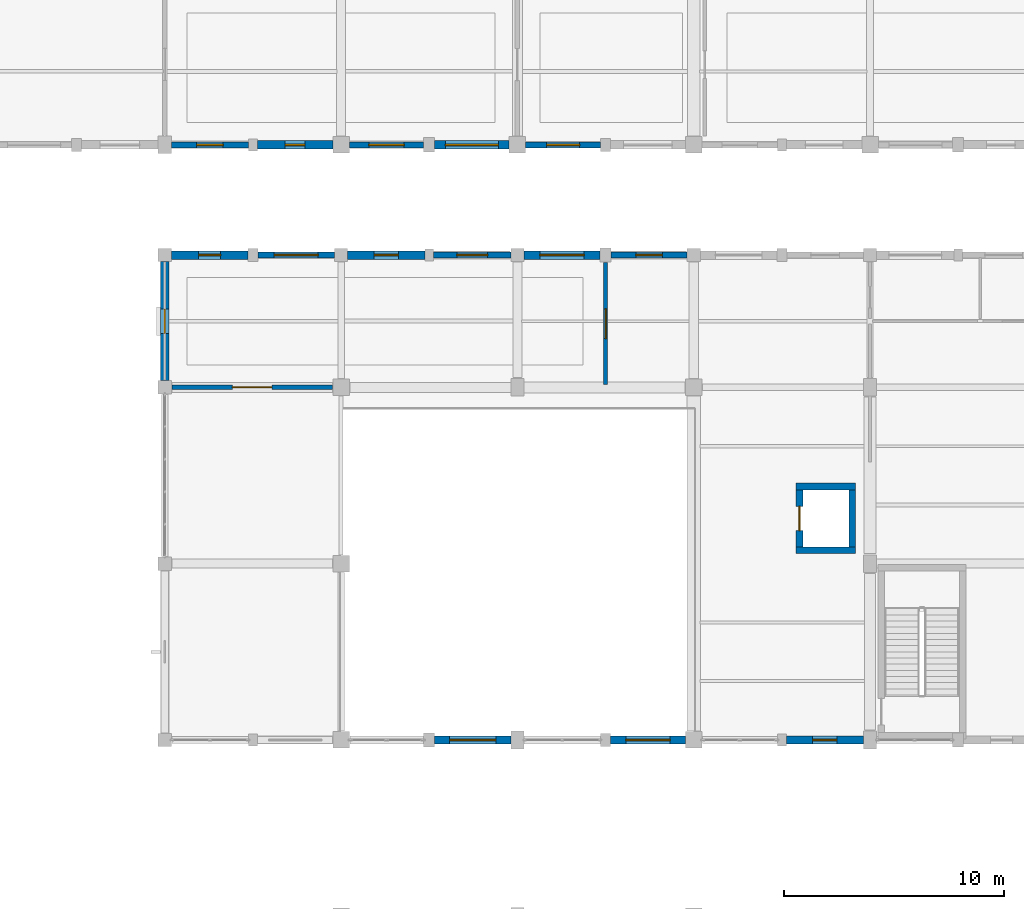
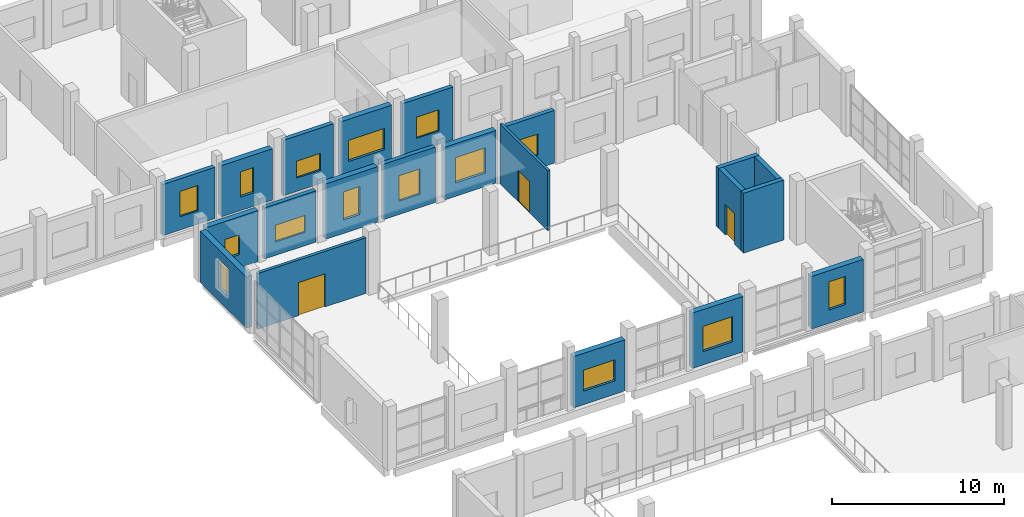
# One storey, part 150 of 183: 21 walls, 15 windows, 3 doors, 18 openings.
"""IFC4 building model written with IfcOpenShell, lengths in metres."""

from ifc_helpers import new_model, si_unit, direction, frame, frame_2d, origin, place, context, subcontext, project, spatial, rectangle, extrude, material, layer, layer_set, type_object, element, fill, save


model = new_model("IFC4")

# Units and contexts
model_context = context("Model", 3, precision=1e-05, world=origin(), true_north=direction((0.0, 1.0)))
body_context = subcontext(model_context, "Body", "Model", "MODEL_VIEW")
ifc_project = project(units=[si_unit("LENGTHUNIT", "METRE"), si_unit("AREAUNIT", "SQUARE_METRE"), si_unit("VOLUMEUNIT", "CUBIC_METRE"), si_unit("PLANEANGLEUNIT", "RADIAN"), si_unit("MASSUNIT", "GRAM", prefix="KILO")], contexts=[model_context])

# Site, building, storey
site_placement = place(None, origin())
site = spatial("IfcSite", under=ifc_project, at=site_placement, CompositionType="ELEMENT")
building_placement = place(site_placement, origin())
building = spatial("IfcBuilding", under=site, at=building_placement, Name="Luwemba Playhouse", CompositionType="ELEMENT")
storey_placement = place(building_placement, frame((0.0, 0.0, 4.800048828125)))
storey = spatial("IfcBuildingStorey", under=building, at=storey_placement, Name="L01", CompositionType="ELEMENT", Elevation=4.800048828125)

# Wall, opening, window
ifc_material_1 = material(Name="Clay facing brick obra vista masonry", Category="masonry")
ifc_layer_1 = layer(ifc_material_1, 0.3798828125)
ifc_layer_set_1 = layer_set([ifc_layer_1], Name="Clay facing brick obra vista masonry")
wall_type_1 = type_object("IfcWallType", Name="WAL-BRK-380", PredefinedType="SOLIDWALL", material=ifc_layer_set_1)
wall_1_placement = place(storey_placement, frame((132.0, 84.300048828125, 0.0), z_axis=(0.0, 0.0, 1.0), x_axis=(0.0, 1.0, 0.0)))
wall_1 = element("IfcWall", 1, at=wall_1_placement, inside=storey, type_object=wall_type_1, Name="L01 V4 exterior facade wall 0182", PredefinedType="SOLIDWALL", context=body_context, shape_type="SweptSolid", body=[
    extrude(rectangle(XDim=5.39990234375, YDim=0.3798828125, at=frame_2d((2.699951171875, 0.0))), origin(), (0.0, 0.0, 1.0), 3.635009765625),
])
opening_1_placement = place(wall_1_placement, frame((2.14990234375, 0.0, 0.949951171875)))
opening_1 = element("IfcOpeningElement", 2, at=opening_1_placement, cuts=wall_1, Name="Opening WN-19", PredefinedType="OPENING", context=body_context, shape_type="SweptSolid", body=[
    extrude(rectangle(XDim=1.10009765625, YDim=2.0, at=frame_2d((0.550048828125, 1.0))), frame((0.0, 0.199951171875, 0.0), z_axis=(0.0, -1.0, 0.0), x_axis=(1.0, 0.0, 0.0)), (0.0, 0.0, 1.0), 0.39990234375),
])
ifc_material_2 = material(Name="Solar-control double glazing in aluminium frame", Category="aluminium")
window_type_1 = type_object("IfcWindowType", Name="WIN-WN-19", PartitioningType="SINGLE_PANEL", PredefinedType="WINDOW", material=ifc_material_2)
window_1_placement = place(opening_1_placement, origin())
window_1 = element("IfcWindow", 3, at=window_1_placement, inside=storey, type_object=window_type_1, Name="L01 V4 scheduled window 0131", OverallHeight=2.0, OverallWidth=1.10009765625, PartitioningType="SINGLE_PANEL", PredefinedType="WINDOW", context=body_context, shape_type="SweptSolid", body=[
    extrude(rectangle(XDim=1.10009765625, YDim=2.0, at=frame_2d((0.550048828125, 1.0))), frame((0.0, 0.030029296875, 0.0), z_axis=(0.0, -1.0, 0.0), x_axis=(1.0, 0.0, 0.0)), (0.0, 0.0, 1.0), 0.06005859375),
])
fill(opening_1, window_1)

wall_2_placement = place(storey_placement, frame((132.300048828125, 90.0, 0.0), z_axis=(0.0, 0.0, 1.0), x_axis=(1.0, 0.0, 0.0)))
wall_2 = element("IfcWall", 4, at=wall_2_placement, inside=storey, type_object=wall_type_1, Name="L01 V4 exterior facade wall 0183", PredefinedType="SOLIDWALL", context=body_context, shape_type="SweptSolid", body=[
    extrude(rectangle(XDim=3.474853515625, YDim=0.3798828125, at=frame_2d((1.7373046875, 0.0))), origin(), (0.0, 0.0, 1.0), 3.635009765625),
])
opening_2_placement = place(wall_2_placement, frame((1.237548828125, 0.0, 0.949951171875)))
opening_2 = element("IfcOpeningElement", 5, at=opening_2_placement, cuts=wall_2, Name="Opening WN-13", PredefinedType="OPENING", context=body_context, shape_type="SweptSolid", body=[
    extrude(rectangle(XDim=1.0, YDim=1.39990234375, at=frame_2d((0.5, 0.699951171875))), frame((0.0, 0.199951171875, 0.0), z_axis=(0.0, -1.0, 0.0), x_axis=(1.0, 0.0, 0.0)), (0.0, 0.0, 1.0), 0.39990234375),
])
window_type_2 = type_object("IfcWindowType", Name="WIN-WN-13", PartitioningType="SINGLE_PANEL", PredefinedType="WINDOW", material=ifc_material_2)
window_2_placement = place(opening_2_placement, origin())
window_2 = element("IfcWindow", 6, at=window_2_placement, inside=storey, type_object=window_type_2, Name="L01 V4 scheduled window 0132", OverallHeight=1.39990234375, OverallWidth=1.0, PartitioningType="SINGLE_PANEL", PredefinedType="WINDOW", context=body_context, shape_type="SweptSolid", body=[
    extrude(rectangle(XDim=1.0, YDim=1.39990234375, at=frame_2d((0.5, 0.699951171875))), frame((0.0, 0.030029296875, 0.0), z_axis=(0.0, -1.0, 0.0), x_axis=(1.0, 0.0, 0.0)), (0.0, 0.0, 1.0), 0.06005859375),
])
fill(opening_2, window_2)

wall_3_placement = place(storey_placement, frame((140.300048828125, 90.0, 0.0), z_axis=(0.0, 0.0, 1.0), x_axis=(1.0, 0.0, 0.0)))
wall_3 = element("IfcWall", 7, at=wall_3_placement, inside=storey, type_object=wall_type_1, Name="L01 V4 exterior facade wall 0185", PredefinedType="SOLIDWALL", context=body_context, shape_type="SweptSolid", body=[
    extrude(rectangle(XDim=3.5, YDim=0.3798828125, at=frame_2d((1.75, 0.0))), origin(), (0.0, 0.0, 1.0), 3.93505859375),
])
opening_3_placement = place(wall_3_placement, frame((1.199951171875, 0.0, 0.949951171875)))
opening_3 = element("IfcOpeningElement", 8, at=opening_3_placement, cuts=wall_3, Name="Opening WN-19", PredefinedType="OPENING", context=body_context, shape_type="SweptSolid", body=[
    extrude(rectangle(XDim=1.10009765625, YDim=2.0, at=frame_2d((0.550048828125, 1.0))), frame((0.0, 0.199951171875, 0.0), z_axis=(0.0, -1.0, 0.0), x_axis=(1.0, 0.0, 0.0)), (0.0, 0.0, 1.0), 0.39990234375),
])
window_3_placement = place(opening_3_placement, origin())
window_3 = element("IfcWindow", 9, at=window_3_placement, inside=storey, type_object=window_type_1, Name="L01 V4 scheduled window 0134", OverallHeight=2.0, OverallWidth=1.10009765625, PartitioningType="SINGLE_PANEL", PredefinedType="WINDOW", context=body_context, shape_type="SweptSolid", body=[
    extrude(rectangle(XDim=1.10009765625, YDim=2.0, at=frame_2d((0.550048828125, 1.0))), frame((0.0, 0.030029296875, 0.0), z_axis=(0.0, -1.0, 0.0), x_axis=(1.0, 0.0, 0.0)), (0.0, 0.0, 1.0), 0.06005859375),
])
fill(opening_3, window_3)

wall_4_placement = place(storey_placement, frame((148.300048828125, 90.0, 0.0), z_axis=(0.0, 0.0, 1.0), x_axis=(1.0, 0.0, 0.0)))
wall_4 = element("IfcWall", 10, at=wall_4_placement, inside=storey, type_object=wall_type_1, Name="L01 V4 exterior facade wall 0187", PredefinedType="SOLIDWALL", context=body_context, shape_type="SweptSolid", body=[
    extrude(rectangle(XDim=3.449951171875, YDim=0.3798828125, at=frame_2d((1.72509765625, 0.0))), origin(), (0.0, 0.0, 1.0), 3.73486328125),
])
opening_4_placement = place(wall_4_placement, frame((0.72509765625, 0.0, 0.949951171875)))
opening_4 = element("IfcOpeningElement", 11, at=opening_4_placement, cuts=wall_4, Name="Opening WN-05", PredefinedType="OPENING", context=body_context, shape_type="SweptSolid", body=[
    extrude(rectangle(XDim=2.0, YDim=1.800048828125, at=frame_2d((1.0, 0.89990234375))), frame((0.0, 0.199951171875, 0.0), z_axis=(0.0, -1.0, 0.0), x_axis=(1.0, 0.0, 0.0)), (0.0, 0.0, 1.0), 0.39990234375),
])
window_type_3 = type_object("IfcWindowType", Name="WIN-WN-05", PartitioningType="TRIPLE_PANEL_VERTICAL", PredefinedType="WINDOW", material=ifc_material_2)
window_4_placement = place(opening_4_placement, origin())
window_4 = element("IfcWindow", 12, at=window_4_placement, inside=storey, type_object=window_type_3, Name="L01 V4 scheduled window 0136", OverallHeight=1.800048828125, OverallWidth=2.0, PartitioningType="TRIPLE_PANEL_VERTICAL", PredefinedType="WINDOW", context=body_context, shape_type="SweptSolid", body=[
    extrude(rectangle(XDim=2.0, YDim=1.800048828125, at=frame_2d((1.0, 0.89990234375))), frame((0.0, 0.030029296875, 0.0), z_axis=(0.0, -1.0, 0.0), x_axis=(1.0, 0.0, 0.0)), (0.0, 0.0, 1.0), 0.06005859375),
])
fill(opening_4, window_4)

wall_5_placement = place(storey_placement, frame((163.699951171875, 68.0, 0.0), z_axis=(0.0, 0.0, 1.0), x_axis=(-1.0, 0.0, 0.0)))
wall_5 = element("IfcWall", 13, at=wall_5_placement, inside=storey, type_object=wall_type_1, Name="L01 V4 exterior facade wall 0196", PredefinedType="SOLIDWALL", context=body_context, shape_type="SweptSolid", body=[
    extrude(rectangle(XDim=3.5, YDim=0.3798828125, at=frame_2d((1.75, 0.0))), origin(), (0.0, 0.0, 1.0), 3.73486328125),
])
opening_5_placement = place(wall_5_placement, frame((1.199951171875, 0.0, 0.949951171875)))
opening_5 = element("IfcOpeningElement", 14, at=opening_5_placement, cuts=wall_5, Name="Opening WN-19", PredefinedType="OPENING", context=body_context, shape_type="SweptSolid", body=[
    extrude(rectangle(XDim=1.10009765625, YDim=2.0, at=frame_2d((0.550048828125, 1.0))), frame((0.0, 0.199951171875, 0.0), z_axis=(0.0, -1.0, 0.0), x_axis=(1.0, 0.0, 0.0)), (0.0, 0.0, 1.0), 0.39990234375),
])
window_5_placement = place(opening_5_placement, origin())
window_5 = element("IfcWindow", 15, at=window_5_placement, inside=storey, type_object=window_type_1, Name="L01 V4 scheduled window 0145", OverallHeight=2.0, OverallWidth=1.10009765625, PartitioningType="SINGLE_PANEL", PredefinedType="WINDOW", context=body_context, shape_type="SweptSolid", body=[
    extrude(rectangle(XDim=1.10009765625, YDim=2.0, at=frame_2d((0.550048828125, 1.0))), frame((0.0, 0.030029296875, 0.0), z_axis=(0.0, -1.0, 0.0), x_axis=(1.0, 0.0, 0.0)), (0.0, 0.0, 1.0), 0.06005859375),
])
fill(opening_5, window_5)

wall_6_placement = place(storey_placement, frame((155.625, 68.0, 0.0), z_axis=(0.0, 0.0, 1.0), x_axis=(-1.0, 0.0, 0.0)))
wall_6 = element("IfcWall", 16, at=wall_6_placement, inside=storey, type_object=wall_type_1, Name="L01 V4 exterior facade wall 0197", PredefinedType="SOLIDWALL", context=body_context, shape_type="SweptSolid", body=[
    extrude(rectangle(XDim=3.39990234375, YDim=0.3798828125, at=frame_2d((1.699951171875, 0.0))), origin(), (0.0, 0.0, 1.0), 3.93505859375),
])
opening_6_placement = place(wall_6_placement, frame((0.699951171875, 0.0, 0.949951171875)))
opening_6 = element("IfcOpeningElement", 17, at=opening_6_placement, cuts=wall_6, Name="Opening WN-05", PredefinedType="OPENING", context=body_context, shape_type="SweptSolid", body=[
    extrude(rectangle(XDim=2.0, YDim=1.800048828125, at=frame_2d((1.0, 0.89990234375))), frame((0.0, 0.199951171875, 0.0), z_axis=(0.0, -1.0, 0.0), x_axis=(1.0, 0.0, 0.0)), (0.0, 0.0, 1.0), 0.39990234375),
])
window_6_placement = place(opening_6_placement, origin())
window_6 = element("IfcWindow", 18, at=window_6_placement, inside=storey, type_object=window_type_3, Name="L01 V4 scheduled window 0146", OverallHeight=1.800048828125, OverallWidth=2.0, PartitioningType="TRIPLE_PANEL_VERTICAL", PredefinedType="WINDOW", context=body_context, shape_type="SweptSolid", body=[
    extrude(rectangle(XDim=2.0, YDim=1.800048828125, at=frame_2d((1.0, 0.89990234375))), frame((0.0, 0.030029296875, 0.0), z_axis=(0.0, -1.0, 0.0), x_axis=(1.0, 0.0, 0.0)), (0.0, 0.0, 1.0), 0.06005859375),
])
fill(opening_6, window_6)

wall_7_placement = place(storey_placement, frame((147.699951171875, 68.0, 0.0), z_axis=(0.0, 0.0, 1.0), x_axis=(-1.0, 0.0, 0.0)))
wall_7 = element("IfcWall", 19, at=wall_7_placement, inside=storey, type_object=wall_type_1, Name="L01 V4 exterior facade wall 0198", PredefinedType="SOLIDWALL", context=body_context, shape_type="SweptSolid", body=[
    extrude(rectangle(XDim=3.449951171875, YDim=0.3798828125, at=frame_2d((1.72509765625, 0.0))), origin(), (0.0, 0.0, 1.0), 3.635009765625),
])
opening_7_placement = place(wall_7_placement, frame((0.675048828125, 0.0, 0.949951171875)))
opening_7 = element("IfcOpeningElement", 20, at=opening_7_placement, cuts=wall_7, Name="Opening WN-11", PredefinedType="OPENING", context=body_context, shape_type="SweptSolid", body=[
    extrude(rectangle(XDim=2.10009765625, YDim=1.5, at=frame_2d((1.050048828125, 0.75))), frame((0.0, 0.199951171875, 0.0), z_axis=(0.0, -1.0, 0.0), x_axis=(1.0, 0.0, 0.0)), (0.0, 0.0, 1.0), 0.39990234375),
])
window_type_4 = type_object("IfcWindowType", Name="WIN-WN-11", PartitioningType="TRIPLE_PANEL_VERTICAL", PredefinedType="WINDOW", material=ifc_material_2)
window_7_placement = place(opening_7_placement, origin())
window_7 = element("IfcWindow", 21, at=window_7_placement, inside=storey, type_object=window_type_4, Name="L01 V4 scheduled window 0147", OverallHeight=1.5, OverallWidth=2.10009765625, PartitioningType="TRIPLE_PANEL_VERTICAL", PredefinedType="WINDOW", context=body_context, shape_type="SweptSolid", body=[
    extrude(rectangle(XDim=2.10009765625, YDim=1.5, at=frame_2d((1.050048828125, 0.75))), frame((0.0, 0.030029296875, 0.0), z_axis=(0.0, -1.0, 0.0), x_axis=(1.0, 0.0, 0.0)), (0.0, 0.0, 1.0), 0.06005859375),
])
fill(opening_7, window_7)

wall_8_placement = place(storey_placement, frame((147.625, 95.0, 0.0), z_axis=(0.0, 0.0, 1.0), x_axis=(-1.0, 0.0, 0.0)))
wall_8 = element("IfcWall", 22, at=wall_8_placement, inside=storey, type_object=wall_type_1, Name="L01 V6E exterior facade wall 0260", PredefinedType="SOLIDWALL", context=body_context, shape_type="SweptSolid", body=[
    extrude(rectangle(XDim=3.375, YDim=0.3798828125, at=frame_2d((1.6875, 0.0))), origin(), (0.0, 0.0, 1.0), 3.93505859375),
])
opening_8_placement = place(wall_8_placement, frame((0.487548828125, 0.0, 0.949951171875)))
opening_8 = element("IfcOpeningElement", 23, at=opening_8_placement, cuts=wall_8, Name="Opening WN-12", PredefinedType="OPENING", context=body_context, shape_type="SweptSolid", body=[
    extrude(rectangle(XDim=2.39990234375, YDim=1.5, at=frame_2d((1.199951171875, 0.75))), frame((0.0, 0.199951171875, 0.0), z_axis=(0.0, -1.0, 0.0), x_axis=(1.0, 0.0, 0.0)), (0.0, 0.0, 1.0), 0.39990234375),
])
window_type_5 = type_object("IfcWindowType", Name="WIN-WN-12", PartitioningType="TRIPLE_PANEL_VERTICAL", PredefinedType="WINDOW", material=ifc_material_2)
window_8_placement = place(opening_8_placement, origin())
window_8 = element("IfcWindow", 24, at=window_8_placement, inside=storey, type_object=window_type_5, Name="L01 V6E scheduled window 0207", OverallHeight=1.5, OverallWidth=2.39990234375, PartitioningType="TRIPLE_PANEL_VERTICAL", PredefinedType="WINDOW", context=body_context, shape_type="SweptSolid", body=[
    extrude(rectangle(XDim=2.39990234375, YDim=1.5, at=frame_2d((1.199951171875, 0.75))), frame((0.0, 0.030029296875, 0.0), z_axis=(0.0, -1.0, 0.0), x_axis=(1.0, 0.0, 0.0)), (0.0, 0.0, 1.0), 0.06005859375),
])
fill(opening_8, window_8)

wall_9_placement = place(storey_placement, frame((139.625, 95.0, 0.0), z_axis=(0.0, 0.0, 1.0), x_axis=(-1.0, 0.0, 0.0)))
wall_9 = element("IfcWall", 25, at=wall_9_placement, inside=storey, type_object=wall_type_1, Name="L01 V6E exterior facade wall 0262", PredefinedType="SOLIDWALL", context=body_context, shape_type="SweptSolid", body=[
    extrude(rectangle(XDim=3.425048828125, YDim=0.3798828125, at=frame_2d((1.71240234375, 0.0))), origin(), (0.0, 0.0, 1.0), 3.635009765625),
])
opening_9_placement = place(wall_9_placement, frame((1.262451171875, 0.0, 0.949951171875)))
opening_9 = element("IfcOpeningElement", 26, at=opening_9_placement, cuts=wall_9, Name="Opening WN-18", PredefinedType="OPENING", context=body_context, shape_type="SweptSolid", body=[
    extrude(rectangle(XDim=0.89990234375, YDim=1.800048828125, at=frame_2d((0.449951171875, 0.89990234375))), frame((0.0, 0.199951171875, 0.0), z_axis=(0.0, -1.0, 0.0), x_axis=(1.0, 0.0, 0.0)), (0.0, 0.0, 1.0), 0.39990234375),
])
window_type_6 = type_object("IfcWindowType", Name="WIN-WN-18", PartitioningType="SINGLE_PANEL", PredefinedType="WINDOW", material=ifc_material_2)
window_9_placement = place(opening_9_placement, origin())
window_9 = element("IfcWindow", 27, at=window_9_placement, inside=storey, type_object=window_type_6, Name="L01 V6E scheduled window 0209", OverallHeight=1.800048828125, OverallWidth=0.89990234375, PartitioningType="SINGLE_PANEL", PredefinedType="WINDOW", context=body_context, shape_type="SweptSolid", body=[
    extrude(rectangle(XDim=0.89990234375, YDim=1.800048828125, at=frame_2d((0.449951171875, 0.89990234375))), frame((0.0, 0.030029296875, 0.0), z_axis=(0.0, -1.0, 0.0), x_axis=(1.0, 0.0, 0.0)), (0.0, 0.0, 1.0), 0.06005859375),
])
fill(opening_9, window_9)

# Walls
ifc_material_3 = material(Name="Concrete C40/50", Category="concrete")
ifc_layer_2 = layer(ifc_material_3, 0.300048828125)
ifc_layer_set_2 = layer_set([ifc_layer_2], Name="Concrete C40/50")
wall_type_2 = type_object("IfcWallType", Name="WAL-CORE-300", PredefinedType="SHEAR", material=ifc_layer_set_2)
for number, where, z_axis, x_axis, name in (
    (28, (160.64990234375, 76.60009765625, 0.0), (0.0, 0.0, 1.0), (1.0, 0.0, 0.0), "L01 Lift LF-P7 shaft wall S"),
    (29, (163.35009765625, 79.5, 0.0), (0.0, 0.0, 1.0), (-1.0, 0.0, 0.0), "L01 Lift LF-P7 shaft wall N"),
):
    element("IfcWall", number, at=place(storey_placement, frame(where, z_axis=z_axis, x_axis=x_axis)), inside=storey, type_object=wall_type_2, Name=name, PredefinedType="SHEAR", context=body_context, shape_type="SweptSolid", body=[
        extrude(rectangle(XDim=2.7001953125, YDim=0.300048828125, at=frame_2d((1.35009765625, 0.0))), origin(), (0.0, 0.0, 1.0), 4.25),
    ])

# Wall, opening, door
wall_10_placement = place(storey_placement, frame((160.800048828125, 76.75, 0.0), z_axis=(0.0, 0.0, 1.0), x_axis=(0.0, 1.0, 0.0)))
wall_10 = element("IfcWall", 30, at=wall_10_placement, inside=storey, type_object=wall_type_2, Name="L01 Lift LF-P7 shaft wall W", PredefinedType="SHEAR", context=body_context, shape_type="SweptSolid", body=[
    extrude(rectangle(XDim=2.60009765625, YDim=0.300048828125, at=frame_2d((1.300048828125, 0.0))), origin(), (0.0, 0.0, 1.0), 4.25),
])
opening_10_placement = place(wall_10_placement, frame((0.75, 0.0, 0.0)))
opening_10 = element("IfcOpeningElement", 31, at=opening_10_placement, cuts=wall_10, Name="Opening LD-01", PredefinedType="OPENING", context=body_context, shape_type="SweptSolid", body=[
    extrude(rectangle(XDim=1.10009765625, YDim=2.14990234375, at=frame_2d((0.550048828125, 1.074951171875))), frame((0.0, 0.159912109375, 0.0), z_axis=(0.0, -1.0, 0.0), x_axis=(1.0, 0.0, 0.0)), (0.0, 0.0, 1.0), 0.320068359375),
])
ifc_material_4 = material(Name="Stainless steel lift landing doors", Category="steel")
door_type_1 = type_object("IfcDoorType", Name="DR-LIFT-110", OperationType="NOTDEFINED", PredefinedType="DOOR", material=ifc_material_4)
door_1_placement = place(opening_10_placement, origin())
door_1 = element("IfcDoor", 32, at=door_1_placement, inside=storey, type_object=door_type_1, Name="L01 Lift LF-P7 landing door", OperationType="DOUBLE_DOOR_SLIDING", OverallHeight=2.14990234375, OverallWidth=1.10009765625, PredefinedType="DOOR", context=body_context, shape_type="SweptSolid", body=[
    extrude(rectangle(XDim=1.10009765625, YDim=2.14990234375, at=frame_2d((0.550048828125, 1.074951171875))), frame((0.0, 0.02490234375, 0.0), z_axis=(0.0, -1.0, 0.0), x_axis=(1.0, 0.0, 0.0)), (0.0, 0.0, 1.0), 0.050048828125),
])
fill(opening_10, door_1)

# Wall
wall_11_placement = place(storey_placement, frame((163.199951171875, 79.35009765625, 0.0), z_axis=(0.0, 0.0, 1.0), x_axis=(0.0, -1.0, 0.0)))
element("IfcWall", 33, at=wall_11_placement, inside=storey, type_object=wall_type_2, Name="L01 Lift LF-P7 shaft wall E", PredefinedType="SHEAR", context=body_context, shape_type="SweptSolid", body=[
    extrude(rectangle(XDim=2.60009765625, YDim=0.300048828125, at=frame_2d((1.300048828125, 0.0))), origin(), (0.0, 0.0, 1.0), 4.25),
])

# Wall, opening, door
ifc_material_5 = material(Name="Double-stud acoustic gypsum partition", Category="gypsum")
ifc_layer_3 = layer(ifc_material_5, 0.179931640625)
ifc_layer_set_3 = layer_set([ifc_layer_3], Name="Double-stud acoustic gypsum partition")
wall_type_3 = type_object("IfcWallType", Name="WAL-INT-180", PredefinedType="PARTITIONING", material=ifc_layer_set_3)
wall_12_placement = place(storey_placement, frame((152.0, 84.1201171875, 0.0), z_axis=(0.0, 0.0, 1.0), x_axis=(0.0, 1.0, 0.0)))
wall_12 = element("IfcWall", 34, at=wall_12_placement, inside=storey, type_object=wall_type_3, Name="L01 V4 interior partition 0131", PredefinedType="PARTITIONING", context=body_context, shape_type="SweptSolid", body=[
    extrude(rectangle(XDim=5.534912109375, YDim=0.179931640625, at=frame_2d((2.767578125, 0.0))), origin(), (0.0, 0.0, 1.0), 4.25),
])
opening_11_placement = place(wall_12_placement, frame((2.092529296875, 0.0, 0.0)))
opening_11 = element("IfcOpeningElement", 35, at=opening_11_placement, cuts=wall_12, Name="Opening D-STU1", PredefinedType="OPENING", context=body_context, shape_type="SweptSolid", body=[
    extrude(rectangle(XDim=1.35009765625, YDim=2.199951171875, at=frame_2d((0.675048828125, 1.10009765625))), frame((0.0, 0.099853515625, 0.0), z_axis=(0.0, -1.0, 0.0), x_axis=(1.0, 0.0, 0.0)), (0.0, 0.0, 1.0), 0.199951171875),
])
ifc_material_6 = material(Name="Acoustic studio door", Category="wood")
door_type_2 = type_object("IfcDoorType", Name="DR-STU-135", OperationType="NOTDEFINED", PredefinedType="DOOR", material=ifc_material_6)
door_2_placement = place(opening_11_placement, origin())
door_2 = element("IfcDoor", 36, at=door_2_placement, inside=storey, type_object=door_type_2, Name="L01 Movement and Physical Theatre Studio to Experimental Level 1 Corridor door", OperationType="SINGLE_SWING_LEFT", OverallHeight=2.199951171875, OverallWidth=1.35009765625, PredefinedType="DOOR", context=body_context, shape_type="SweptSolid", body=[
    extrude(rectangle(XDim=1.35009765625, YDim=2.199951171875, at=frame_2d((0.675048828125, 1.10009765625))), frame((0.0, 0.02490234375, 0.0), z_axis=(0.0, -1.0, 0.0), x_axis=(1.0, 0.0, 0.0)), (0.0, 0.0, 1.0), 0.050048828125),
])
fill(opening_11, door_2)

ifc_material_7 = material(Name="Clay acoustic masonry blockwork", Category="masonry")
ifc_layer_4 = layer(ifc_material_7, 0.199951171875)
ifc_layer_set_4 = layer_set([ifc_layer_4], Name="Clay acoustic masonry blockwork")
wall_type_4 = type_object("IfcWallType", Name="WAL-INT-200", PredefinedType="PARTITIONING", material=ifc_layer_set_4)
wall_13_placement = place(storey_placement, frame((132.320068359375, 84.0, 0.0), z_axis=(0.0, 0.0, 1.0), x_axis=(1.0, 0.0, 0.0)))
wall_13 = element("IfcWall", 37, at=wall_13_placement, inside=storey, type_object=wall_type_4, Name="L01 V4 interior partition 0130", PredefinedType="PARTITIONING", context=body_context, shape_type="SweptSolid", body=[
    extrude(rectangle(XDim=7.284912109375, YDim=0.199951171875, at=frame_2d((3.642578125, 0.0))), origin(), (0.0, 0.0, 1.0), 3.945068359375),
])
opening_12_placement = place(wall_13_placement, frame((2.742431640625, 0.0, 0.0)))
opening_12 = element("IfcOpeningElement", 38, at=opening_12_placement, cuts=wall_13, Name="Opening D-AUD1", PredefinedType="OPENING", context=body_context, shape_type="SweptSolid", body=[
    extrude(rectangle(XDim=1.800048828125, YDim=2.35009765625, at=frame_2d((0.89990234375, 1.175048828125))), frame((0.0, 0.10986328125, 0.0), z_axis=(0.0, -1.0, 0.0), x_axis=(1.0, 0.0, 0.0)), (0.0, 0.0, 1.0), 0.219970703125),
])
ifc_material_8 = material(Name="Double acoustic timber theatre door", Category="wood")
door_type_3 = type_object("IfcDoorType", Name="DR-AUD-180", OperationType="NOTDEFINED", PredefinedType="DOOR", material=ifc_material_8)
door_3_placement = place(opening_12_placement, origin())
door_3 = element("IfcDoor", 39, at=door_3_placement, inside=storey, type_object=door_type_3, Name="L01 Black-Box Technical Catwalk Gallery to Movement and Physical Theatre Studio door", OperationType="DOUBLE_DOOR_SINGLE_SWING", OverallHeight=2.35009765625, OverallWidth=1.800048828125, PredefinedType="DOOR", context=body_context, shape_type="SweptSolid", body=[
    extrude(rectangle(XDim=1.800048828125, YDim=2.35009765625, at=frame_2d((0.89990234375, 1.175048828125))), frame((0.0, 0.02490234375, 0.0), z_axis=(0.0, -1.0, 0.0), x_axis=(1.0, 0.0, 0.0)), (0.0, 0.0, 1.0), 0.050048828125),
])
fill(opening_12, door_3)

# Wall, opening, window
ifc_material_9 = material(Name="Structural timber GL24h infill", Category="wood")
ifc_layer_5 = layer(ifc_material_9, 0.280029296875)
ifc_layer_set_5 = layer_set([ifc_layer_5], Name="Structural timber GL24h infill")
wall_type_5 = type_object("IfcWallType", Name="WAL-TIM-280", PredefinedType="SOLIDWALL", material=ifc_layer_set_5)
wall_14_placement = place(storey_placement, frame((136.22509765625, 90.0, 0.0), z_axis=(0.0, 0.0, 1.0), x_axis=(1.0, 0.0, 0.0)))
wall_14 = element("IfcWall", 40, at=wall_14_placement, inside=storey, type_object=wall_type_5, Name="L01 V4 exterior facade wall 0184", PredefinedType="SOLIDWALL", context=body_context, shape_type="SweptSolid", body=[
    extrude(rectangle(XDim=3.474853515625, YDim=0.280029296875, at=frame_2d((1.7373046875, 0.0))), origin(), (0.0, 0.0, 1.0), 3.635009765625),
])
opening_13_placement = place(wall_14_placement, frame((0.737548828125, 0.0, 0.949951171875)))
opening_13 = element("IfcOpeningElement", 41, at=opening_13_placement, cuts=wall_14, Name="Opening WN-16", PredefinedType="OPENING", context=body_context, shape_type="SweptSolid", body=[
    extrude(rectangle(XDim=2.0, YDim=1.199951171875, at=frame_2d((1.0, 0.60009765625))), frame((0.0, 0.14990234375, 0.0), z_axis=(0.0, -1.0, 0.0), x_axis=(1.0, 0.0, 0.0)), (0.0, 0.0, 1.0), 0.300048828125),
])
window_type_7 = type_object("IfcWindowType", Name="WIN-WN-16", PartitioningType="DOUBLE_PANEL_HORIZONTAL", PredefinedType="WINDOW", material=ifc_material_2)
window_10_placement = place(opening_13_placement, origin())
window_10 = element("IfcWindow", 42, at=window_10_placement, inside=storey, type_object=window_type_7, Name="L01 V4 scheduled window 0133", OverallHeight=1.199951171875, OverallWidth=2.0, PartitioningType="DOUBLE_PANEL_HORIZONTAL", PredefinedType="WINDOW", context=body_context, shape_type="SweptSolid", body=[
    extrude(rectangle(XDim=2.0, YDim=1.199951171875, at=frame_2d((1.0, 0.60009765625))), frame((0.0, 0.030029296875, 0.0), z_axis=(0.0, -1.0, 0.0), x_axis=(1.0, 0.0, 0.0)), (0.0, 0.0, 1.0), 0.06005859375),
])
fill(opening_13, window_10)

wall_15_placement = place(storey_placement, frame((144.199951171875, 90.0, 0.0), z_axis=(0.0, 0.0, 1.0), x_axis=(1.0, 0.0, 0.0)))
wall_15 = element("IfcWall", 43, at=wall_15_placement, inside=storey, type_object=wall_type_5, Name="L01 V4 exterior facade wall 0186", PredefinedType="SOLIDWALL", context=body_context, shape_type="SweptSolid", body=[
    extrude(rectangle(XDim=3.5, YDim=0.280029296875, at=frame_2d((1.75, 0.0))), origin(), (0.0, 0.0, 1.0), 3.93505859375),
])
opening_14_placement = place(wall_15_placement, frame((1.050048828125, 0.0, 0.949951171875)))
opening_14 = element("IfcOpeningElement", 44, at=opening_14_placement, cuts=wall_15, Name="Opening WN-02", PredefinedType="OPENING", context=body_context, shape_type="SweptSolid", body=[
    extrude(rectangle(XDim=1.39990234375, YDim=1.800048828125, at=frame_2d((0.699951171875, 0.89990234375))), frame((0.0, 0.14990234375, 0.0), z_axis=(0.0, -1.0, 0.0), x_axis=(1.0, 0.0, 0.0)), (0.0, 0.0, 1.0), 0.300048828125),
])
window_type_8 = type_object("IfcWindowType", Name="WIN-WN-02", PartitioningType="DOUBLE_PANEL_VERTICAL", PredefinedType="WINDOW", material=ifc_material_2)
window_11_placement = place(opening_14_placement, origin())
window_11 = element("IfcWindow", 45, at=window_11_placement, inside=storey, type_object=window_type_8, Name="L01 V4 scheduled window 0135", OverallHeight=1.800048828125, OverallWidth=1.39990234375, PartitioningType="DOUBLE_PANEL_VERTICAL", PredefinedType="WINDOW", context=body_context, shape_type="SweptSolid", body=[
    extrude(rectangle(XDim=1.39990234375, YDim=1.800048828125, at=frame_2d((0.699951171875, 0.89990234375))), frame((0.0, 0.030029296875, 0.0), z_axis=(0.0, -1.0, 0.0), x_axis=(1.0, 0.0, 0.0)), (0.0, 0.0, 1.0), 0.06005859375),
])
fill(opening_14, window_11)

wall_16_placement = place(storey_placement, frame((152.25, 90.0, 0.0), z_axis=(0.0, 0.0, 1.0), x_axis=(1.0, 0.0, 0.0)))
wall_16 = element("IfcWall", 46, at=wall_16_placement, inside=storey, type_object=wall_type_5, Name="L01 V4 exterior facade wall 0188", PredefinedType="SOLIDWALL", context=body_context, shape_type="SweptSolid", body=[
    extrude(rectangle(XDim=3.449951171875, YDim=0.280029296875, at=frame_2d((1.72509765625, 0.0))), origin(), (0.0, 0.0, 1.0), 3.73486328125),
])
opening_15_placement = place(wall_16_placement, frame((1.125, 0.0, 0.949951171875)))
opening_15 = element("IfcOpeningElement", 47, at=opening_15_placement, cuts=wall_16, Name="Opening WN-08", PredefinedType="OPENING", context=body_context, shape_type="SweptSolid", body=[
    extrude(rectangle(XDim=1.199951171875, YDim=1.5, at=frame_2d((0.60009765625, 0.75))), frame((0.0, 0.14990234375, 0.0), z_axis=(0.0, -1.0, 0.0), x_axis=(1.0, 0.0, 0.0)), (0.0, 0.0, 1.0), 0.300048828125),
])
window_type_9 = type_object("IfcWindowType", Name="WIN-WN-08", PartitioningType="SINGLE_PANEL", PredefinedType="WINDOW", material=ifc_material_2)
window_12_placement = place(opening_15_placement, origin())
window_12 = element("IfcWindow", 48, at=window_12_placement, inside=storey, type_object=window_type_9, Name="L01 V4 scheduled window 0137", OverallHeight=1.5, OverallWidth=1.199951171875, PartitioningType="SINGLE_PANEL", PredefinedType="WINDOW", context=body_context, shape_type="SweptSolid", body=[
    extrude(rectangle(XDim=1.199951171875, YDim=1.5, at=frame_2d((0.60009765625, 0.75))), frame((0.0, 0.030029296875, 0.0), z_axis=(0.0, -1.0, 0.0), x_axis=(1.0, 0.0, 0.0)), (0.0, 0.0, 1.0), 0.06005859375),
])
fill(opening_15, window_12)

wall_17_placement = place(storey_placement, frame((151.77490234375, 95.0, 0.0), z_axis=(0.0, 0.0, 1.0), x_axis=(-1.0, 0.0, 0.0)))
wall_17 = element("IfcWall", 49, at=wall_17_placement, inside=storey, type_object=wall_type_5, Name="L01 V6E exterior facade wall 0259", PredefinedType="SOLIDWALL", context=body_context, shape_type="SweptSolid", body=[
    extrude(rectangle(XDim=3.39990234375, YDim=0.280029296875, at=frame_2d((1.699951171875, 0.0))), origin(), (0.0, 0.0, 1.0), 3.73486328125),
])
opening_16_placement = place(wall_17_placement, frame((0.949951171875, 0.0, 0.949951171875)))
opening_16 = element("IfcOpeningElement", 50, at=opening_16_placement, cuts=wall_17, Name="Opening WN-09", PredefinedType="OPENING", context=body_context, shape_type="SweptSolid", body=[
    extrude(rectangle(XDim=1.5, YDim=1.5, at=frame_2d((0.75, 0.75))), frame((0.0, 0.14990234375, 0.0), z_axis=(0.0, -1.0, 0.0), x_axis=(1.0, 0.0, 0.0)), (0.0, 0.0, 1.0), 0.300048828125),
])
window_type_10 = type_object("IfcWindowType", Name="WIN-WN-09", PartitioningType="DOUBLE_PANEL_VERTICAL", PredefinedType="WINDOW", material=ifc_material_2)
window_13_placement = place(opening_16_placement, origin())
window_13 = element("IfcWindow", 51, at=window_13_placement, inside=storey, type_object=window_type_10, Name="L01 V6E scheduled window 0206", OverallHeight=1.5, OverallWidth=1.5, PartitioningType="DOUBLE_PANEL_VERTICAL", PredefinedType="WINDOW", context=body_context, shape_type="SweptSolid", body=[
    extrude(rectangle(XDim=1.5, YDim=1.5, at=frame_2d((0.75, 0.75))), frame((0.0, 0.030029296875, 0.0), z_axis=(0.0, -1.0, 0.0), x_axis=(1.0, 0.0, 0.0)), (0.0, 0.0, 1.0), 0.06005859375),
])
fill(opening_16, window_13)

wall_18_placement = place(storey_placement, frame((143.75, 95.0, 0.0), z_axis=(0.0, 0.0, 1.0), x_axis=(-1.0, 0.0, 0.0)))
wall_18 = element("IfcWall", 52, at=wall_18_placement, inside=storey, type_object=wall_type_5, Name="L01 V6E exterior facade wall 0261", PredefinedType="SOLIDWALL", context=body_context, shape_type="SweptSolid", body=[
    extrude(rectangle(XDim=3.375, YDim=0.280029296875, at=frame_2d((1.6875, 0.0))), origin(), (0.0, 0.0, 1.0), 3.93505859375),
])
opening_17_placement = place(wall_18_placement, frame((0.887451171875, 0.0, 0.949951171875)))
opening_17 = element("IfcOpeningElement", 53, at=opening_17_placement, cuts=wall_18, Name="Opening WN-15", PredefinedType="OPENING", context=body_context, shape_type="SweptSolid", body=[
    extrude(rectangle(XDim=1.60009765625, YDim=1.199951171875, at=frame_2d((0.800048828125, 0.60009765625))), frame((0.0, 0.14990234375, 0.0), z_axis=(0.0, -1.0, 0.0), x_axis=(1.0, 0.0, 0.0)), (0.0, 0.0, 1.0), 0.300048828125),
])
window_type_11 = type_object("IfcWindowType", Name="WIN-WN-15", PartitioningType="DOUBLE_PANEL_HORIZONTAL", PredefinedType="WINDOW", material=ifc_material_2)
window_14_placement = place(opening_17_placement, origin())
window_14 = element("IfcWindow", 54, at=window_14_placement, inside=storey, type_object=window_type_11, Name="L01 V6E scheduled window 0208", OverallHeight=1.199951171875, OverallWidth=1.60009765625, PartitioningType="DOUBLE_PANEL_HORIZONTAL", PredefinedType="WINDOW", context=body_context, shape_type="SweptSolid", body=[
    extrude(rectangle(XDim=1.60009765625, YDim=1.199951171875, at=frame_2d((0.800048828125, 0.60009765625))), frame((0.0, 0.030029296875, 0.0), z_axis=(0.0, -1.0, 0.0), x_axis=(1.0, 0.0, 0.0)), (0.0, 0.0, 1.0), 0.06005859375),
])
fill(opening_17, window_14)

wall_19_placement = place(storey_placement, frame((135.800048828125, 95.0, 0.0), z_axis=(0.0, 0.0, 1.0), x_axis=(-1.0, 0.0, 0.0)))
wall_19 = element("IfcWall", 55, at=wall_19_placement, inside=storey, type_object=wall_type_5, Name="L01 V6E exterior facade wall 0263", PredefinedType="SOLIDWALL", context=body_context, shape_type="SweptSolid", body=[
    extrude(rectangle(XDim=3.5, YDim=0.280029296875, at=frame_2d((1.75, 0.0))), origin(), (0.0, 0.0, 1.0), 3.635009765625),
])
opening_18_placement = place(wall_19_placement, frame((1.14990234375, 0.0, 0.949951171875)))
opening_18 = element("IfcOpeningElement", 56, at=opening_18_placement, cuts=wall_19, Name="Opening WN-01", PredefinedType="OPENING", context=body_context, shape_type="SweptSolid", body=[
    extrude(rectangle(XDim=1.199951171875, YDim=1.800048828125, at=frame_2d((0.60009765625, 0.89990234375))), frame((0.0, 0.14990234375, 0.0), z_axis=(0.0, -1.0, 0.0), x_axis=(1.0, 0.0, 0.0)), (0.0, 0.0, 1.0), 0.300048828125),
])
window_type_12 = type_object("IfcWindowType", Name="WIN-WN-01", PartitioningType="SINGLE_PANEL", PredefinedType="WINDOW", material=ifc_material_2)
window_15_placement = place(opening_18_placement, origin())
window_15 = element("IfcWindow", 57, at=window_15_placement, inside=storey, type_object=window_type_12, Name="L01 V6E scheduled window 0210", OverallHeight=1.800048828125, OverallWidth=1.199951171875, PartitioningType="SINGLE_PANEL", PredefinedType="WINDOW", context=body_context, shape_type="SweptSolid", body=[
    extrude(rectangle(XDim=1.199951171875, YDim=1.800048828125, at=frame_2d((0.60009765625, 0.89990234375))), frame((0.0, 0.030029296875, 0.0), z_axis=(0.0, -1.0, 0.0), x_axis=(1.0, 0.0, 0.0)), (0.0, 0.0, 1.0), 0.06005859375),
])
fill(opening_18, window_15)

save(model, "model.ifc")
